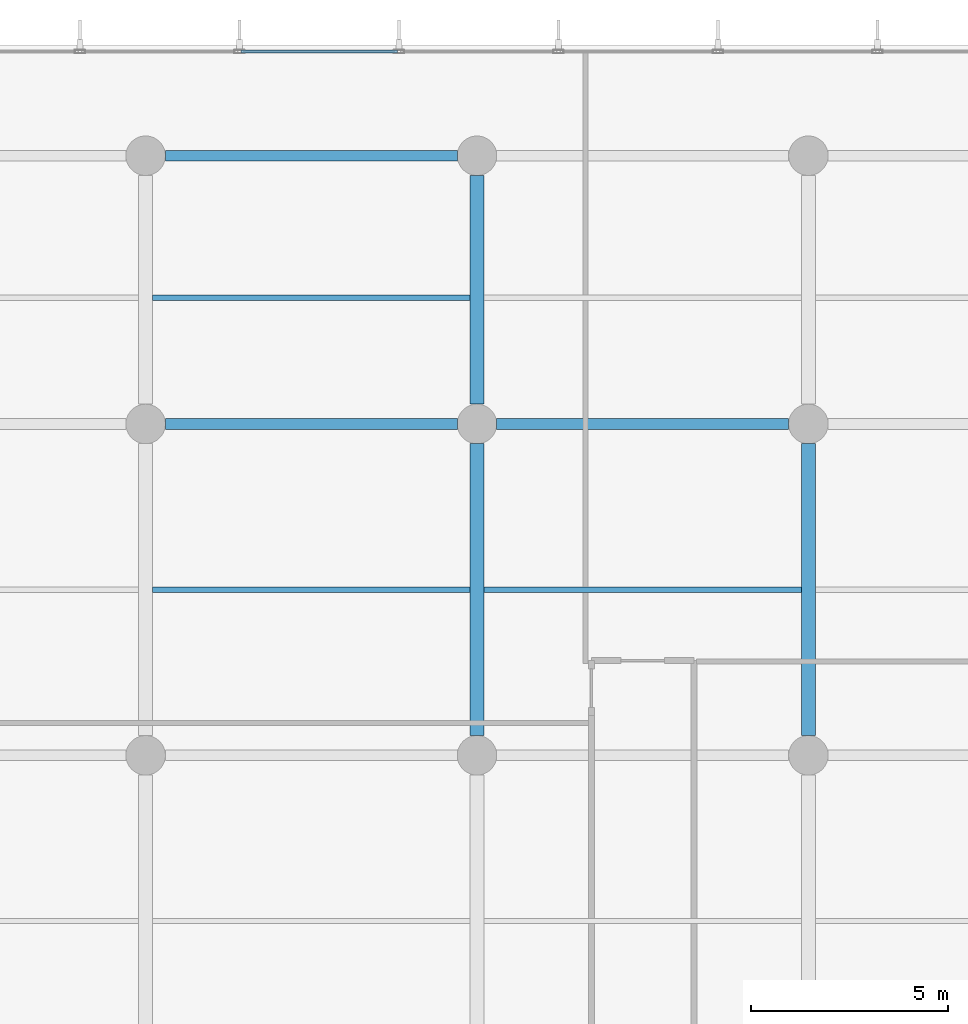
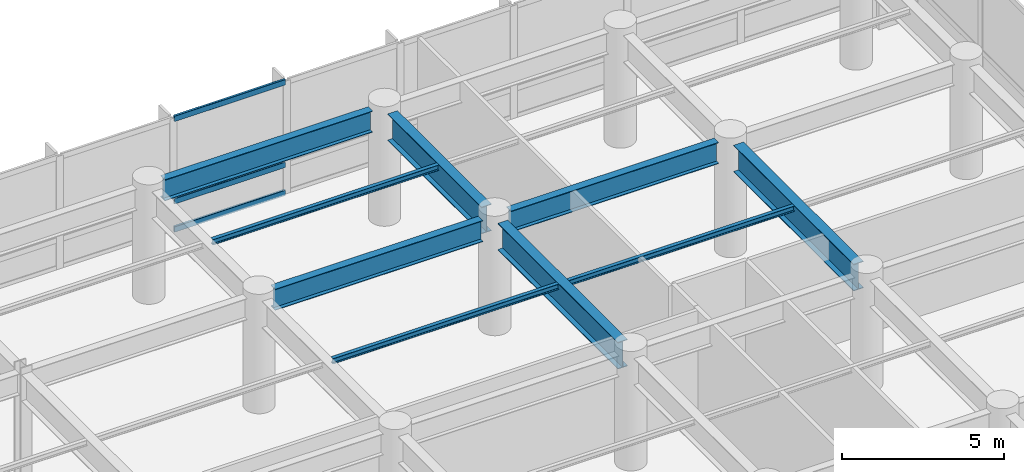
# One storey, part 10 of 26: 9 beams, 3 members, 1 element without a shape of its own.
"""IFC4 building model written with IfcOpenShell, lengths in metres."""

from ifc_helpers import new_model, si_unit, direction, frame, origin, origin_2d, place, context, subcontext, project, spatial, hollow_rectangle, i_section, extrude, material, layer, layer_set, material_profile, profile_set, type_object, element, aggregate, save


model = new_model("IFC4")

# Units and contexts
model_context = context("Model", 3, precision=1e-05, world=origin(), true_north=direction((0.0, 1.0)))
body_context = subcontext(model_context, "Body", "Model", "MODEL_VIEW")
ifc_project = project(units=[si_unit("LENGTHUNIT", "METRE"), si_unit("AREAUNIT", "SQUARE_METRE"), si_unit("VOLUMEUNIT", "CUBIC_METRE"), si_unit("PLANEANGLEUNIT", "RADIAN"), si_unit("MASSUNIT", "GRAM", prefix="KILO")], contexts=[model_context])

# Site, building, storey
site_placement = place(None, origin())
site = spatial("IfcSite", under=ifc_project, at=site_placement, CompositionType="ELEMENT")
building_placement = place(site_placement, origin())
building = spatial("IfcBuilding", under=site, at=building_placement, Name="Varnakote Quay Hospital", CompositionType="ELEMENT")
storey_placement = place(building_placement, frame((0.0, 0.0, 13.5)))
storey = spatial("IfcBuildingStorey", under=building, at=storey_placement, Name="L03", CompositionType="ELEMENT", Elevation=13.5)

# Beams
ifc_material_1 = material(Name="Structural steel AS/NZS 3678 Grade 350 (fy 340 MPa)", Category="steel")
ifc_material_profile_1 = material_profile(ifc_material_1, i_section(OverallWidth=0.35009765625, OverallDepth=1.010009765625, WebThickness=0.01611328125, FlangeThickness=0.02490234375, at=origin_2d()), Name="1000WB258")
ifc_profile_set_1 = profile_set([ifc_material_profile_1], Name="Structural steel AS/NZS 3678 Grade 350 (fy 340 MPa)")
beam_type_1 = type_object("IfcBeamType", Name="BM-STL-1000WB258", PredefinedType="BEAM", material=ifc_profile_set_1)
beam_1_placement = place(storey_placement, frame((67.199951171875, 29.300048828125, 3.7451171875), z_axis=(0.0, 1.0, 0.0), x_axis=(-1.0, 0.0, 0.0)))
element("IfcBeam", 1, at=beam_1_placement, inside=storey, type_object=beam_type_1, Name="L03 Primary Tie Beam", PredefinedType="BEAM", context=body_context, shape_type="SweptSolid", body=[
    extrude(i_section(OverallWidth=0.35009765625, OverallDepth=1.010009765625, WebThickness=0.01611328125, FlangeThickness=0.02490234375, at=origin_2d()), origin(), (0.0, 0.0, 1.0), 7.39990234375),
])
beam_2_placement = place(storey_placement, frame((67.199951171875, 37.699951171875, 3.7451171875), z_axis=(0.0, 1.0, 0.0), x_axis=(-1.0, 0.0, 0.0)))
element("IfcBeam", 2, at=beam_2_placement, inside=storey, type_object=beam_type_1, Name="L03 Primary Tie Beam", PredefinedType="BEAM", context=body_context, shape_type="SweptSolid", body=[
    extrude(i_section(OverallWidth=0.35009765625, OverallDepth=1.010009765625, WebThickness=0.01611328125, FlangeThickness=0.02490234375, at=origin_2d()), origin(), (0.0, 0.0, 1.0), 5.800048828125),
])
beam_3_placement = place(storey_placement, frame((75.60009765625, 29.300048828125, 3.7451171875), z_axis=(0.0, 1.0, 0.0), x_axis=(-1.0, 0.0, 0.0)))
element("IfcBeam", 3, at=beam_3_placement, inside=storey, type_object=beam_type_1, Name="L03 Primary Tie Beam", PredefinedType="BEAM", context=body_context, shape_type="SweptSolid", body=[
    extrude(i_section(OverallWidth=0.35009765625, OverallDepth=1.010009765625, WebThickness=0.01611328125, FlangeThickness=0.02490234375, at=origin_2d()), origin(), (0.0, 0.0, 1.0), 7.39990234375),
])
ifc_material_2 = material(Name="Structural steel AS/NZS 3678 Grade 350 (fy 340 MPa)", Category="steel")
ifc_material_profile_2 = material_profile(ifc_material_2, i_section(OverallWidth=0.27490234375, OverallDepth=0.800048828125, WebThickness=0.010009765625, FlangeThickness=0.02001953125, at=origin_2d()), Name="800WB146")
ifc_profile_set_2 = profile_set([ifc_material_profile_2], Name="Structural steel AS/NZS 3678 Grade 350 (fy 340 MPa)")
beam_type_2 = type_object("IfcBeamType", Name="BM-STL-800WB146", PredefinedType="BEAM", material=ifc_profile_set_2)
beam_4_placement = place(storey_placement, frame((59.300048828125, 37.199951171875, 3.85009765625), z_axis=(1.0, 0.0, 0.0), x_axis=(0.0, 1.0, 0.0)))
element("IfcBeam", 4, at=beam_4_placement, inside=storey, type_object=beam_type_2, Name="L03 Primary Floor Beam", PredefinedType="BEAM", context=body_context, shape_type="SweptSolid", body=[
    extrude(i_section(OverallWidth=0.27490234375, OverallDepth=0.800048828125, WebThickness=0.010009765625, FlangeThickness=0.02001953125, at=origin_2d()), origin(), (0.0, 0.0, 1.0), 7.39990234375),
])
beam_5_placement = place(storey_placement, frame((67.699951171875, 37.199951171875, 3.85009765625), z_axis=(1.0, 0.0, 0.0), x_axis=(0.0, 1.0, 0.0)))
element("IfcBeam", 5, at=beam_5_placement, inside=storey, type_object=beam_type_2, Name="L03 Primary Floor Beam", PredefinedType="BEAM", context=body_context, shape_type="SweptSolid", body=[
    extrude(i_section(OverallWidth=0.27490234375, OverallDepth=0.800048828125, WebThickness=0.010009765625, FlangeThickness=0.02001953125, at=origin_2d()), origin(), (0.0, 0.0, 1.0), 7.400146484375),
])
beam_6_placement = place(storey_placement, frame((59.300048828125, 44.0, 3.85009765625), z_axis=(1.0, 0.0, 0.0), x_axis=(0.0, 1.0, 0.0)))
element("IfcBeam", 6, at=beam_6_placement, inside=storey, type_object=beam_type_2, Name="L03 Primary Floor Beam", PredefinedType="BEAM", context=body_context, shape_type="SweptSolid", body=[
    extrude(i_section(OverallWidth=0.27490234375, OverallDepth=0.800048828125, WebThickness=0.010009765625, FlangeThickness=0.02001953125, at=origin_2d()), origin(), (0.0, 0.0, 1.0), 7.39990234375),
])

# Curtain wall, members
ifc_material_3 = material(Name="Anodised aluminium 6063-T6 Bronze", Category="aluminium")
ifc_layer = layer(ifc_material_3, 0.175048828125)
ifc_layer_set = layer_set([ifc_layer], Name="Anodised aluminium 6063-T6 Bronze")
curtain_wall_type = type_object("IfcCurtainWallType", Name="CW-SYS-1", PredefinedType="NOTDEFINED", material=ifc_layer_set)
curtain_wall_placement = place(storey_placement, origin())
curtain_wall = element("IfcCurtainWall", 7, at=curtain_wall_placement, inside=storey, type_object=curtain_wall_type, Name="L03 Unitised Bronze Curtain Wall 2", PredefinedType="NOTDEFINED")
ifc_material_4 = material(Name="Anodised aluminium 6063-T6 Bronze", Category="aluminium")
ifc_material_profile_3 = material_profile(ifc_material_4, hollow_rectangle(XDim=0.0849609375, YDim=0.2099609375, WallThickness=0.00439453125, InnerFilletRadius=0.00439453125, OuterFilletRadius=0.009033203125, at=origin_2d()), Name="CW-TRAN-210x85")
ifc_profile_set_3 = profile_set([ifc_material_profile_3], Name="Anodised aluminium 6063-T6 Bronze")
member_type = type_object("IfcMemberType", Name="CW-TRAN-210x85", PredefinedType="USERDEFINED", material=ifc_profile_set_3)
member_1_placement = place(storey_placement, frame((65.179931640625, 46.639892578125, 0.04248046875), z_axis=(-1.0, 0.0, 0.0), x_axis=(0.0, -1.0, 0.0)))
member_1 = element("IfcMember", 8, at=member_1_placement, type_object=member_type, Name="-1-L03-2 transom 6.1", ObjectType="TRANSOM", PredefinedType="USERDEFINED", context=body_context, shape_type="SweptSolid", body=[
    extrude(hollow_rectangle(XDim=0.0849609375, YDim=0.2099609375, WallThickness=0.00439453125, InnerFilletRadius=0.00439453125, OuterFilletRadius=0.009033203125, at=origin_2d()), origin(), (0.0, 0.0, 1.0), 3.95849609375),
])
member_2_placement = place(storey_placement, frame((65.179931640625, 46.639892578125, 1.10009765625), z_axis=(-1.0, 0.0, 0.0), x_axis=(0.0, -1.0, 0.0)))
member_2 = element("IfcMember", 9, at=member_2_placement, type_object=member_type, Name="-1-L03-2 transom 6.2", ObjectType="TRANSOM", PredefinedType="USERDEFINED", context=body_context, shape_type="SweptSolid", body=[
    extrude(hollow_rectangle(XDim=0.0849609375, YDim=0.2099609375, WallThickness=0.00439453125, InnerFilletRadius=0.00439453125, OuterFilletRadius=0.009033203125, at=origin_2d()), origin(), (0.0, 0.0, 1.0), 3.95849609375),
])
member_3_placement = place(storey_placement, frame((65.179931640625, 46.639892578125, 4.20751953125), z_axis=(-1.0, 0.0, 0.0), x_axis=(0.0, -1.0, 0.0)))
member_3 = element("IfcMember", 10, at=member_3_placement, type_object=member_type, Name="-1-L03-2 transom 6.3", ObjectType="TRANSOM", PredefinedType="USERDEFINED", context=body_context, shape_type="SweptSolid", body=[
    extrude(hollow_rectangle(XDim=0.0849609375, YDim=0.2099609375, WallThickness=0.00439453125, InnerFilletRadius=0.00439453125, OuterFilletRadius=0.009033203125, at=origin_2d()), origin(), (0.0, 0.0, 1.0), 3.95849609375),
])
aggregate(curtain_wall, [member_1, member_2, member_3])

# Beams
ifc_material_5 = material(Name="Structural steel AS/NZS 3679.1 Grade 350 L0 (fy 340 MPa)", Category="steel")
ifc_material_profile_4 = material_profile(ifc_material_5, i_section(OverallWidth=0.134033203125, OverallDepth=0.20703125, WebThickness=0.00634765625, FlangeThickness=0.009521484375, FilletRadius=0.0087890625, at=origin_2d()), Name="200UB29.8")
ifc_profile_set_4 = profile_set([ifc_material_profile_4], Name="Structural steel AS/NZS 3679.1 Grade 350 L0 (fy 340 MPa)")
beam_type_3 = type_object("IfcBeamType", Name="JST-STL-200UB29-8", PredefinedType="JOIST", material=ifc_profile_set_4)
beam_7_placement = place(storey_placement, frame((58.97509765625, 33.0, 4.146484375), z_axis=(1.0, 0.0, 0.0), x_axis=(0.0, 1.0, 0.0)))
element("IfcBeam", 11, at=beam_7_placement, inside=storey, type_object=beam_type_3, Name="L03 Composite Floor Joist", PredefinedType="JOIST", context=body_context, shape_type="SweptSolid", body=[
    extrude(i_section(OverallWidth=0.134033203125, OverallDepth=0.20703125, WebThickness=0.00634765625, FlangeThickness=0.009521484375, FilletRadius=0.0087890625, at=origin_2d()), origin(), (0.0, 0.0, 1.0), 8.0498046875),
])
beam_8_placement = place(storey_placement, frame((67.375, 33.0, 4.146484375), z_axis=(1.0, 0.0, 0.0), x_axis=(0.0, 1.0, 0.0)))
element("IfcBeam", 12, at=beam_8_placement, inside=storey, type_object=beam_type_3, Name="L03 Composite Floor Joist", PredefinedType="JOIST", context=body_context, shape_type="SweptSolid", body=[
    extrude(i_section(OverallWidth=0.134033203125, OverallDepth=0.20703125, WebThickness=0.00634765625, FlangeThickness=0.009521484375, FilletRadius=0.0087890625, at=origin_2d()), origin(), (0.0, 0.0, 1.0), 8.050048828125),
])
beam_9_placement = place(storey_placement, frame((58.97509765625, 40.39990234375, 4.146484375), z_axis=(1.0, 0.0, 0.0), x_axis=(0.0, 1.0, 0.0)))
element("IfcBeam", 13, at=beam_9_placement, inside=storey, type_object=beam_type_3, Name="L03 Composite Floor Joist", PredefinedType="JOIST", context=body_context, shape_type="SweptSolid", body=[
    extrude(i_section(OverallWidth=0.134033203125, OverallDepth=0.20703125, WebThickness=0.00634765625, FlangeThickness=0.009521484375, FilletRadius=0.0087890625, at=origin_2d()), origin(), (0.0, 0.0, 1.0), 8.0498046875),
])

save(model, "model.ifc")
